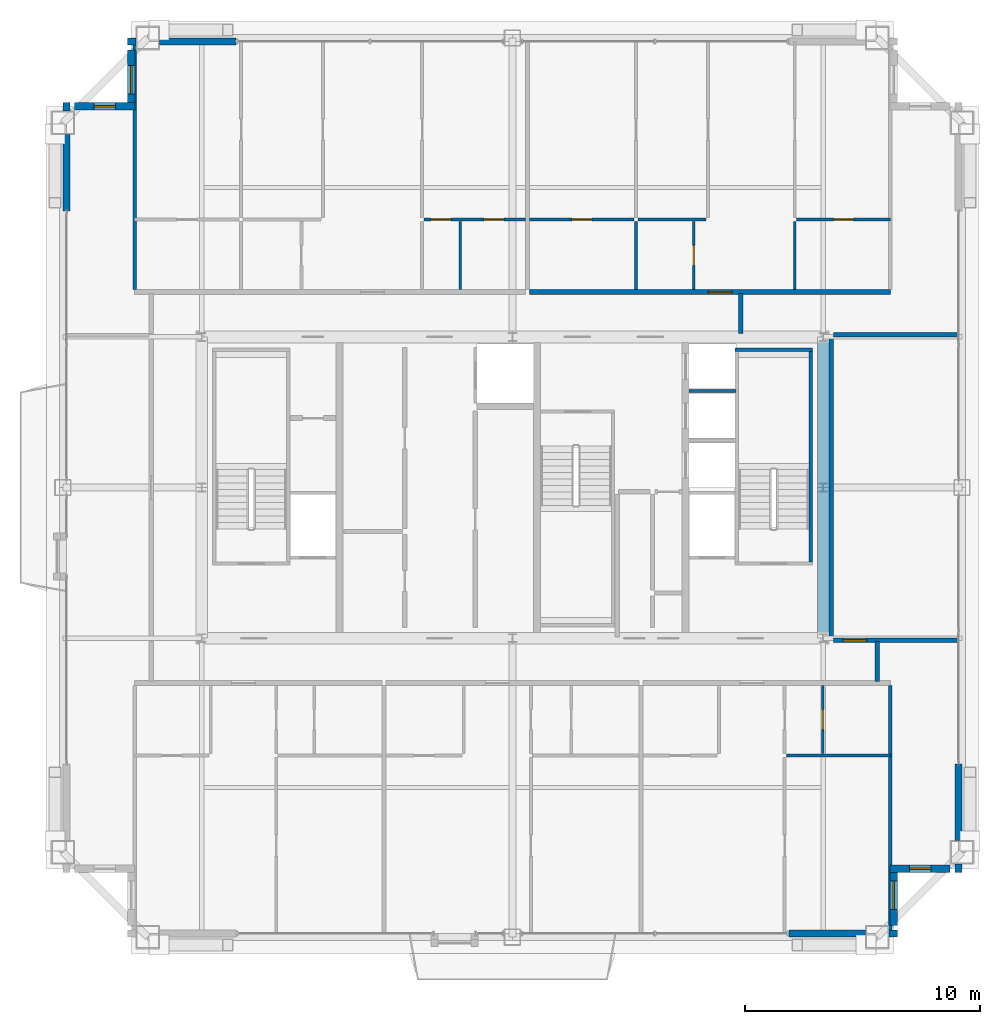
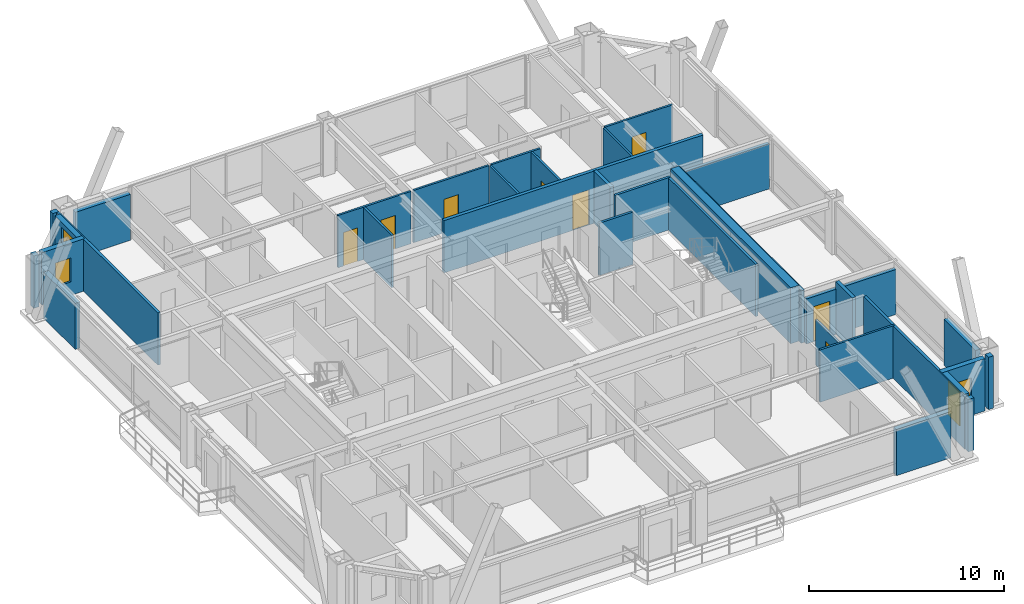
# One storey, part 31 of 33: 34 walls, 8 doors, 4 windows, 12 openings.
"""IFC4 building model written with IfcOpenShell, lengths in metres."""

from ifc_helpers import new_model, si_unit, direction, frame, frame_2d, origin, place, context, subcontext, project, spatial, rectangle, extrude, source, transform, mapped, material, layer, layer_set, type_object, element, fill, save


model = new_model("IFC4")

# Units and contexts
model_context = context("Model", 3, precision=1e-05, world=origin(), true_north=direction((0.0, 1.0)))
body_context = subcontext(model_context, "Body", "Model", "MODEL_VIEW")
ifc_project = project(units=[si_unit("LENGTHUNIT", "METRE"), si_unit("AREAUNIT", "SQUARE_METRE"), si_unit("VOLUMEUNIT", "CUBIC_METRE"), si_unit("PLANEANGLEUNIT", "RADIAN"), si_unit("MASSUNIT", "GRAM", prefix="KILO"), si_unit("THERMODYNAMICTEMPERATUREUNIT", "KELVIN"), si_unit("POWERUNIT", "WATT")], contexts=[model_context])

# Site, building, storey
site_placement = place(None, origin())
site = spatial("IfcSite", under=ifc_project, at=site_placement, CompositionType="ELEMENT")
building_placement = place(site_placement, origin())
building = spatial("IfcBuilding", under=site, at=building_placement, Name="Yuzanri Waterfront Tower", CompositionType="ELEMENT")
storey_placement = place(building_placement, frame((0.0, 0.0, 292.60009765625)))
storey = spatial("IfcBuildingStorey", under=building, at=storey_placement, Name="L78", CompositionType="ELEMENT", Elevation=292.60009765625)

# Wall, opening, door
ifc_material_1 = material(Name="Moisture-Resistant Gypsum Stud Wall", Category="gypsum")
ifc_layer_1 = layer(ifc_material_1, 0.1201171875)
ifc_layer_set_1 = layer_set([ifc_layer_1], Name="Moisture-Resistant Gypsum Stud Wall")
wall_type_1 = type_object("IfcWallType", Name="Bathroom and Kitchen Wet Partition 120", PredefinedType="PARTITIONING", material=ifc_layer_set_1)
wall_1_placement = place(storey_placement, frame((50.179931640625, 14.489990234375, 0.0), z_axis=(0.0, 0.0, 1.0), x_axis=(0.0, 1.0, 0.0)))
wall_1 = element("IfcWall", 1, at=wall_1_placement, inside=storey, type_object=wall_type_1, Name="L78 Partition UW-L78-HS3-SUB-2-W", PredefinedType="PARTITIONING", context=body_context, shape_type="SweptSolid", body=[
    extrude(rectangle(XDim=2.89990234375, YDim=0.1201171875, at=frame_2d((1.449951171875, 0.0))), origin(), (0.0, 0.0, 1.0), 2.824951171875),
])
opening_1_placement = place(wall_1_placement, frame((1.02490234375, 0.0, 0.0)))
opening_1 = element("IfcOpeningElement", 2, at=opening_1_placement, cuts=wall_1, Name="Opening ID-0850", PredefinedType="OPENING", context=body_context, shape_type="SweptSolid", body=[
    extrude(rectangle(XDim=0.85009765625, YDim=2.10009765625, at=frame_2d((0.425048828125, 1.050048828125))), frame((0.0, 0.074951171875, 0.0), z_axis=(0.0, -1.0, 0.0), x_axis=(1.0, 0.0, 0.0)), (0.0, 0.0, 1.0), 0.14990234375),
])
ifc_material_2 = material(Name="Moisture-Resistant Lacquered Timber", Category="wood")
door_type_1 = type_object("IfcDoorType", Name="En-Suite Bathroom and Kitchen Swing Door 850x2100", OperationType="NOTDEFINED", PredefinedType="DOOR", material=ifc_material_2)
shared_shape_1 = source(origin(), body_context, "Body", "SweptSolid", [
    extrude(rectangle(XDim=0.85009765625, YDim=2.10009765625, at=frame_2d((0.425048828125, 1.050048828125))), frame((0.0, 0.02490234375, 0.0), z_axis=(0.0, -1.0, 0.0), x_axis=(1.0, 0.0, 0.0)), (0.0, 0.0, 1.0), 0.050048828125),
])
door_1_placement = place(opening_1_placement, origin())
door_1 = element("IfcDoor", 3, at=door_1_placement, inside=storey, type_object=door_type_1, Name="L78 Suite Interior Room Door", OperationType="SINGLE_SWING_RIGHT", OverallHeight=2.10009765625, OverallWidth=0.85009765625, PredefinedType="DOOR", context=body_context, shape_type="MappedRepresentation", body=[
    mapped(shared_shape_1, transform((0.0, 0.0, 0.0), scale=1.0)),
])
fill(opening_1, door_1)

# Wall, openings, doors
wall_2_placement = place(storey_placement, frame((33.239990234375, 37.18994140625, 0.0), z_axis=(0.0, 0.0, 1.0), x_axis=(1.0, 0.0, 0.0)))
wall_2 = element("IfcWall", 4, at=wall_2_placement, inside=storey, type_object=wall_type_1, Name="L78 Partition UW-L78-HN1-SUB-6-S", PredefinedType="PARTITIONING", context=body_context, shape_type="SweptSolid", body=[
    extrude(rectangle(XDim=4.322021484375, YDim=0.1201171875, at=frame_2d((2.1611328125, 0.0))), origin(), (0.0, 0.0, 1.0), 3.27978515625),
])
opening_2_placement = place(wall_2_placement, frame((2.547119140625, 0.0, 0.0)))
opening_2 = element("IfcOpeningElement", 5, at=opening_2_placement, cuts=wall_2, Name="Opening ID-0850", PredefinedType="OPENING", context=body_context, shape_type="SweptSolid", body=[
    extrude(rectangle(XDim=0.85009765625, YDim=2.10009765625, at=frame_2d((0.425048828125, 1.050048828125))), frame((0.0, 0.074951171875, 0.0), z_axis=(0.0, -1.0, 0.0), x_axis=(1.0, 0.0, 0.0)), (0.0, 0.0, 1.0), 0.14990234375),
])
opening_3_placement = place(wall_2_placement, frame((0.305908203125, 0.0, 0.0)))
opening_3 = element("IfcOpeningElement", 6, at=opening_3_placement, cuts=wall_2, Name="Opening ID-0850", PredefinedType="OPENING", context=body_context, shape_type="SweptSolid", body=[
    extrude(rectangle(XDim=0.85009765625, YDim=2.10009765625, at=frame_2d((0.425048828125, 1.050048828125))), frame((0.0, 0.074951171875, 0.0), z_axis=(0.0, -1.0, 0.0), x_axis=(1.0, 0.0, 0.0)), (0.0, 0.0, 1.0), 0.14990234375),
])
door_2_placement = place(opening_2_placement, origin())
door_2 = element("IfcDoor", 7, at=door_2_placement, inside=storey, type_object=door_type_1, Name="L78 Suite Interior Room Door", OperationType="SINGLE_SWING_RIGHT", OverallHeight=2.10009765625, OverallWidth=0.85009765625, PredefinedType="DOOR", context=body_context, shape_type="MappedRepresentation", body=[
    mapped(shared_shape_1, transform((0.0, 0.0, 0.0), scale=1.0)),
])
fill(opening_2, door_2)
door_3_placement = place(opening_3_placement, origin())
door_3 = element("IfcDoor", 8, at=door_3_placement, inside=storey, type_object=door_type_1, Name="L78 Suite Interior Room Door", OperationType="SINGLE_SWING_LEFT", OverallHeight=2.10009765625, OverallWidth=0.85009765625, PredefinedType="DOOR", context=body_context, shape_type="MappedRepresentation", body=[
    mapped(shared_shape_1, transform((0.0, 0.0, 0.0), scale=1.0)),
])
fill(opening_3, door_3)

# Wall, opening, door
wall_3_placement = place(storey_placement, frame((37.721923828125, 37.18994140625, 0.0), z_axis=(0.0, 0.0, 1.0), x_axis=(1.0, 0.0, 0.0)))
wall_3 = element("IfcWall", 9, at=wall_3_placement, inside=storey, type_object=wall_type_1, Name="L78 Partition UW-L78-HN2-SUB-1-N", PredefinedType="PARTITIONING", context=body_context, shape_type="SweptSolid", body=[
    extrude(rectangle(XDim=4.4501953125, YDim=0.1201171875, at=frame_2d((2.22509765625, 0.0))), origin(), (0.0, 0.0, 1.0), 3.27978515625),
])
opening_4_placement = place(wall_3_placement, frame((1.800048828125, 0.0, 0.0)))
opening_4 = element("IfcOpeningElement", 10, at=opening_4_placement, cuts=wall_3, Name="Opening ID-0850", PredefinedType="OPENING", context=body_context, shape_type="SweptSolid", body=[
    extrude(rectangle(XDim=0.85009765625, YDim=2.10009765625, at=frame_2d((0.425048828125, 1.050048828125))), frame((0.0, 0.074951171875, 0.0), z_axis=(0.0, -1.0, 0.0), x_axis=(1.0, 0.0, 0.0)), (0.0, 0.0, 1.0), 0.14990234375),
])
door_4_placement = place(opening_4_placement, origin())
door_4 = element("IfcDoor", 11, at=door_4_placement, inside=storey, type_object=door_type_1, Name="L78 Suite Interior Room Door", OperationType="SINGLE_SWING_RIGHT", OverallHeight=2.10009765625, OverallWidth=0.85009765625, PredefinedType="DOOR", context=body_context, shape_type="MappedRepresentation", body=[
    mapped(shared_shape_1, transform((0.0, 0.0, 0.0), scale=1.0)),
])
fill(opening_4, door_4)

wall_4_placement = place(storey_placement, frame((44.7041015625, 34.2099609375, 0.0), z_axis=(0.0, 0.0, 1.0), x_axis=(0.0, 1.0, 0.0)))
wall_4 = element("IfcWall", 12, at=wall_4_placement, inside=storey, type_object=wall_type_1, Name="L78 Partition UW-L78-HN2-SUB-2-E", PredefinedType="PARTITIONING", context=body_context, shape_type="SweptSolid", body=[
    extrude(rectangle(XDim=2.900146484375, YDim=0.1201171875, at=frame_2d((1.4501953125, 0.0))), origin(), (0.0, 0.0, 1.0), 3.27978515625),
])
opening_5_placement = place(wall_4_placement, frame((1.02490234375, 0.0, 0.0)))
opening_5 = element("IfcOpeningElement", 13, at=opening_5_placement, cuts=wall_4, Name="Opening ID-0850", PredefinedType="OPENING", context=body_context, shape_type="SweptSolid", body=[
    extrude(rectangle(XDim=0.85009765625, YDim=2.10009765625, at=frame_2d((0.425048828125, 1.050048828125))), frame((0.0, 0.074951171875, 0.0), z_axis=(0.0, -1.0, 0.0), x_axis=(1.0, 0.0, 0.0)), (0.0, 0.0, 1.0), 0.14990234375),
])
door_5_placement = place(opening_5_placement, origin())
door_5 = element("IfcDoor", 14, at=door_5_placement, inside=storey, type_object=door_type_1, Name="L78 Suite Interior Room Door", OperationType="SINGLE_SWING_LEFT", OverallHeight=2.10009765625, OverallWidth=0.85009765625, PredefinedType="DOOR", context=body_context, shape_type="MappedRepresentation", body=[
    mapped(shared_shape_1, transform((0.0, 0.0, 0.0), scale=1.0)),
])
fill(opening_5, door_5)

wall_5_placement = place(storey_placement, frame((49.072021484375, 37.18994140625, 0.0), z_axis=(0.0, 0.0, 1.0), x_axis=(1.0, 0.0, 0.0)))
wall_5 = element("IfcWall", 15, at=wall_5_placement, inside=storey, type_object=wall_type_1, Name="L78 Partition UW-L78-HN2-SUB-3-N", PredefinedType="PARTITIONING", context=body_context, shape_type="SweptSolid", body=[
    extrude(rectangle(XDim=3.988037109375, YDim=0.1201171875, at=frame_2d((1.994140625, 0.0))), origin(), (0.0, 0.0, 1.0), 3.27978515625),
])
opening_6_placement = place(wall_5_placement, frame((1.569091796875, 0.0, 0.0)))
opening_6 = element("IfcOpeningElement", 16, at=opening_6_placement, cuts=wall_5, Name="Opening ID-0850", PredefinedType="OPENING", context=body_context, shape_type="SweptSolid", body=[
    extrude(rectangle(XDim=0.85009765625, YDim=2.10009765625, at=frame_2d((0.425048828125, 1.050048828125))), frame((0.0, 0.074951171875, 0.0), z_axis=(0.0, -1.0, 0.0), x_axis=(1.0, 0.0, 0.0)), (0.0, 0.0, 1.0), 0.14990234375),
])
door_6_placement = place(opening_6_placement, origin())
door_6 = element("IfcDoor", 17, at=door_6_placement, inside=storey, type_object=door_type_1, Name="L78 Suite Interior Room Door", OperationType="SINGLE_SWING_RIGHT", OverallHeight=2.10009765625, OverallWidth=0.85009765625, PredefinedType="DOOR", context=body_context, shape_type="MappedRepresentation", body=[
    mapped(shared_shape_1, transform((0.0, 0.0, 0.0), scale=1.0)),
])
fill(opening_6, door_6)

# Wall, opening, window
ifc_material_3 = material(Name="Honed Chongqing Dark Basalt Stone", Category="masonry")
ifc_layer_2 = layer(ifc_material_3, 0.300048828125)
ifc_layer_set_2 = layer_set([ifc_layer_2], Name="Honed Chongqing Dark Basalt Stone")
wall_type_2 = type_object("IfcWallType", Name="Bronze Rainscreen Insulated Spandrel Portal Wall 300", PredefinedType="SOLIDWALL", material=ifc_layer_set_2)
wall_6_placement = place(storey_placement, frame((53.050048828125, 9.60009765625, 0.0), z_axis=(0.0, 0.0, 1.0), x_axis=(1.0, 0.0, 0.0)))
wall_6 = element("IfcWall", 18, at=wall_6_placement, inside=storey, type_object=wall_type_2, Name="L78 Notched Corner Masonry Wall SE-X", PredefinedType="SOLIDWALL", context=body_context, shape_type="SweptSolid", body=[
    extrude(rectangle(XDim=2.550048828125, YDim=0.300048828125, at=frame_2d((1.27490234375, 0.0))), origin(), (0.0, 0.0, 1.0), 3.27978515625),
])
opening_7_placement = place(wall_6_placement, frame((0.824951171875, 0.0, 0.85009765625)))
opening_7 = element("IfcOpeningElement", 19, at=opening_7_placement, cuts=wall_6, Name="Opening WN-05", PredefinedType="OPENING", context=body_context, shape_type="SweptSolid", body=[
    extrude(rectangle(XDim=0.89990234375, YDim=1.5, at=frame_2d((0.449951171875, 0.75))), frame((0.0, 0.1650390625, 0.0), z_axis=(0.0, -1.0, 0.0), x_axis=(1.0, 0.0, 0.0)), (0.0, 0.0, 1.0), 0.329833984375),
])
ifc_material_4 = material(Name="Double-Silver Low-E Insulated Glass", Category="glass")
window_type_1 = type_object("IfcWindowType", Name="Anodized Bronze Service and Stairwell Smoke-Vent Window 900x1500", PartitioningType="SINGLE_PANEL", PredefinedType="WINDOW", material=ifc_material_4)
shared_shape_2 = source(origin(), body_context, "Body", "SweptSolid", [
    extrude(rectangle(XDim=0.89990234375, YDim=1.5, at=frame_2d((0.449951171875, 0.75))), frame((0.0, 0.030029296875, 0.0), z_axis=(0.0, -1.0, 0.0), x_axis=(1.0, 0.0, 0.0)), (0.0, 0.0, 1.0), 0.06005859375),
])
window_1_placement = place(opening_7_placement, origin())
window_1 = element("IfcWindow", 20, at=window_1_placement, inside=storey, type_object=window_type_1, Name="L78 Notched Corner Window SE-X", OverallHeight=1.5, OverallWidth=0.89990234375, PartitioningType="SINGLE_PANEL", PredefinedType="WINDOW", context=body_context, shape_type="MappedRepresentation", body=[
    mapped(shared_shape_2, transform((0.0, 0.0, 0.0), scale=1.0)),
])
fill(opening_7, window_1)

wall_7_placement = place(storey_placement, frame((53.199951171875, 7.199951171875, 0.0), z_axis=(0.0, 0.0, 1.0), x_axis=(0.0, 1.0, 0.0)))
wall_7 = element("IfcWall", 21, at=wall_7_placement, inside=storey, type_object=wall_type_2, Name="L78 Notched Corner Masonry Wall SE-Y", PredefinedType="SOLIDWALL", context=body_context, shape_type="SweptSolid", body=[
    extrude(rectangle(XDim=2.550048828125, YDim=0.300048828125, at=frame_2d((1.27490234375, 0.0))), origin(), (0.0, 0.0, 1.0), 3.27978515625),
])
opening_8_placement = place(wall_7_placement, frame((0.675048828125, 0.0, 0.85009765625)))
opening_8 = element("IfcOpeningElement", 22, at=opening_8_placement, cuts=wall_7, Name="Opening WN-02", PredefinedType="OPENING", context=body_context, shape_type="SweptSolid", body=[
    extrude(rectangle(XDim=1.199951171875, YDim=2.10009765625, at=frame_2d((0.60009765625, 1.050048828125))), frame((0.0, 0.1650390625, 0.0), z_axis=(0.0, -1.0, 0.0), x_axis=(1.0, 0.0, 0.0)), (0.0, 0.0, 1.0), 0.329833984375),
])
ifc_material_5 = material(Name="Double-Silver Low-E Insulated Glass", Category="glass")
window_type_2 = type_object("IfcWindowType", Name="Anodized Bronze Notched Corner Deep-Set Slot Window 1200x2100", PartitioningType="SINGLE_PANEL", PredefinedType="WINDOW", material=ifc_material_5)
shared_shape_3 = source(origin(), body_context, "Body", "SweptSolid", [
    extrude(rectangle(XDim=1.199951171875, YDim=2.10009765625, at=frame_2d((0.60009765625, 1.050048828125))), frame((0.0, 0.030029296875, 0.0), z_axis=(0.0, -1.0, 0.0), x_axis=(1.0, 0.0, 0.0)), (0.0, 0.0, 1.0), 0.06005859375),
])
window_2_placement = place(opening_8_placement, origin())
window_2 = element("IfcWindow", 23, at=window_2_placement, inside=storey, type_object=window_type_2, Name="L78 Notched Corner Window SE-Y", OverallHeight=2.10009765625, OverallWidth=1.199951171875, PartitioningType="SINGLE_PANEL", PredefinedType="WINDOW", context=body_context, shape_type="MappedRepresentation", body=[
    mapped(shared_shape_3, transform((0.0, 0.0, 0.0), scale=1.0)),
])
fill(opening_8, window_2)

wall_8_placement = place(storey_placement, frame((20.949951171875, 42.0, 0.0), z_axis=(0.0, 0.0, 1.0), x_axis=(-1.0, 0.0, 0.0)))
wall_8 = element("IfcWall", 24, at=wall_8_placement, inside=storey, type_object=wall_type_2, Name="L78 Notched Corner Masonry Wall NW-X", PredefinedType="SOLIDWALL", context=body_context, shape_type="SweptSolid", body=[
    extrude(rectangle(XDim=2.550048828125, YDim=0.300048828125, at=frame_2d((1.27490234375, 0.0))), origin(), (0.0, 0.0, 1.0), 3.27978515625),
])
opening_9_placement = place(wall_8_placement, frame((0.824951171875, 0.0, 0.85009765625)))
opening_9 = element("IfcOpeningElement", 25, at=opening_9_placement, cuts=wall_8, Name="Opening WN-05", PredefinedType="OPENING", context=body_context, shape_type="SweptSolid", body=[
    extrude(rectangle(XDim=0.89990234375, YDim=1.5, at=frame_2d((0.449951171875, 0.75))), frame((0.0, 0.1650390625, 0.0), z_axis=(0.0, -1.0, 0.0), x_axis=(1.0, 0.0, 0.0)), (0.0, 0.0, 1.0), 0.329833984375),
])
window_3_placement = place(opening_9_placement, origin())
window_3 = element("IfcWindow", 26, at=window_3_placement, inside=storey, type_object=window_type_1, Name="L78 Notched Corner Window NW-X", OverallHeight=1.5, OverallWidth=0.89990234375, PartitioningType="SINGLE_PANEL", PredefinedType="WINDOW", context=body_context, shape_type="MappedRepresentation", body=[
    mapped(shared_shape_2, transform((0.0, 0.0, 0.0), scale=1.0)),
])
fill(opening_9, window_3)

wall_9_placement = place(storey_placement, frame((20.800048828125, 44.39990234375, 0.0), z_axis=(0.0, 0.0, 1.0), x_axis=(0.0, -1.0, 0.0)))
wall_9 = element("IfcWall", 27, at=wall_9_placement, inside=storey, type_object=wall_type_2, Name="L78 Notched Corner Masonry Wall NW-Y", PredefinedType="SOLIDWALL", context=body_context, shape_type="SweptSolid", body=[
    extrude(rectangle(XDim=2.5498046875, YDim=0.300048828125, at=frame_2d((1.27490234375, 0.0))), origin(), (0.0, 0.0, 1.0), 3.27978515625),
])
opening_10_placement = place(wall_9_placement, frame((0.675048828125, 0.0, 0.85009765625)))
opening_10 = element("IfcOpeningElement", 28, at=opening_10_placement, cuts=wall_9, Name="Opening WN-02", PredefinedType="OPENING", context=body_context, shape_type="SweptSolid", body=[
    extrude(rectangle(XDim=1.199951171875, YDim=2.10009765625, at=frame_2d((0.60009765625, 1.050048828125))), frame((0.0, 0.1650390625, 0.0), z_axis=(0.0, -1.0, 0.0), x_axis=(1.0, 0.0, 0.0)), (0.0, 0.0, 1.0), 0.329833984375),
])
window_4_placement = place(opening_10_placement, origin())
window_4 = element("IfcWindow", 29, at=window_4_placement, inside=storey, type_object=window_type_2, Name="L78 Notched Corner Window NW-Y", OverallHeight=2.10009765625, OverallWidth=1.199951171875, PartitioningType="SINGLE_PANEL", PredefinedType="WINDOW", context=body_context, shape_type="MappedRepresentation", body=[
    mapped(shared_shape_3, transform((0.0, 0.0, 0.0), scale=1.0)),
])
fill(opening_10, window_4)

# Wall, opening, door
ifc_material_6 = material(Name="Autoclaved Aerated Concrete Blockwork", Category="masonry")
ifc_layer_3 = layer(ifc_material_6, 0.199951171875)
ifc_layer_set_3 = layer_set([ifc_layer_3], Name="Autoclaved Aerated Concrete Blockwork")
wall_type_3 = type_object("IfcWallType", Name="Corridor and Unit Party Fire Wall 200", PredefinedType="PARTITIONING", material=ifc_layer_set_3)
wall_10_placement = place(storey_placement, frame((37.721923828125, 34.110107421875, 0.0), z_axis=(0.0, 0.0, 1.0), x_axis=(1.0, 0.0, 0.0)))
wall_10 = element("IfcWall", 30, at=wall_10_placement, inside=storey, type_object=wall_type_3, Name="L78 Partition UW-L78-HN2-CS", PredefinedType="PARTITIONING", context=body_context, shape_type="SweptSolid", body=[
    extrude(rectangle(XDim=15.338134765625, YDim=0.199951171875, at=frame_2d((7.6689453125, 0.0))), origin(), (0.0, 0.0, 1.0), 3.27978515625),
])
opening_11_placement = place(wall_10_placement, frame((7.596923828125, 0.0, 0.0)))
opening_11 = element("IfcOpeningElement", 31, at=opening_11_placement, cuts=wall_10, Name="Opening FD-1000", PredefinedType="OPENING", context=body_context, shape_type="SweptSolid", body=[
    extrude(rectangle(XDim=1.0, YDim=2.199951171875, at=frame_2d((0.5, 1.10009765625))), frame((0.0, 0.11474609375, 0.0), z_axis=(0.0, -1.0, 0.0), x_axis=(1.0, 0.0, 0.0)), (0.0, 0.0, 1.0), 0.229736328125),
])
ifc_material_7 = material(Name="Engineered Oak Fire-Rated Timber", Category="wood")
door_type_2 = type_object("IfcDoorType", Name="Guestroom and Apartment Entrance Fire Door 1000x2200", OperationType="NOTDEFINED", PredefinedType="DOOR", material=ifc_material_7)
shared_shape_4 = source(origin(), body_context, "Body", "SweptSolid", [
    extrude(rectangle(XDim=1.0, YDim=2.199951171875, at=frame_2d((0.5, 1.10009765625))), frame((0.0, 0.02490234375, 0.0), z_axis=(0.0, -1.0, 0.0), x_axis=(1.0, 0.0, 0.0)), (0.0, 0.0, 1.0), 0.050048828125),
])
door_7_placement = place(opening_11_placement, origin())
door_7 = element("IfcDoor", 32, at=door_7_placement, inside=storey, type_object=door_type_2, Name="L78 Apartment Living and Dining Salon Entrance Door", OperationType="SINGLE_SWING_LEFT", OverallHeight=2.199951171875, OverallWidth=1.0, PredefinedType="DOOR", context=body_context, shape_type="MappedRepresentation", body=[
    mapped(shared_shape_4, transform((0.0, 0.0, 0.0), scale=1.0)),
])
fill(opening_11, door_7)

wall_11_placement = place(storey_placement, frame((50.64990234375, 19.31005859375, 0.0), z_axis=(0.0, 0.0, 1.0), x_axis=(1.0, 0.0, 0.0)))
wall_11 = element("IfcWall", 33, at=wall_11_placement, inside=storey, type_object=wall_type_3, Name="L78 Partition UW-L78-051-CS", PredefinedType="PARTITIONING", context=body_context, shape_type="SweptSolid", body=[
    extrude(rectangle(XDim=5.300048828125, YDim=0.199951171875, at=frame_2d((2.64990234375, 0.0))), origin(), (0.0, 0.0, 1.0), 2.824951171875),
])
opening_12_placement = place(wall_11_placement, frame((0.39990234375, 0.0, 0.0)))
opening_12 = element("IfcOpeningElement", 34, at=opening_12_placement, cuts=wall_11, Name="Opening FD-1000", PredefinedType="OPENING", context=body_context, shape_type="SweptSolid", body=[
    extrude(rectangle(XDim=1.0, YDim=2.199951171875, at=frame_2d((0.5, 1.10009765625))), frame((0.0, 0.11474609375, 0.0), z_axis=(0.0, -1.0, 0.0), x_axis=(1.0, 0.0, 0.0)), (0.0, 0.0, 1.0), 0.229736328125),
])
door_8_placement = place(opening_12_placement, origin())
door_8 = element("IfcDoor", 35, at=door_8_placement, inside=storey, type_object=door_type_2, Name="L78 High-Rise E Horizon Club Room Entrance Door", OperationType="SINGLE_SWING_LEFT", OverallHeight=2.199951171875, OverallWidth=1.0, PredefinedType="DOOR", context=body_context, shape_type="MappedRepresentation", body=[
    mapped(shared_shape_4, transform((0.0, 0.0, 0.0), scale=1.0)),
])
fill(opening_12, door_8)

# Walls
ifc_material_8 = material(Name="Concrete C45", Category="concrete")
ifc_layer_4 = layer(ifc_material_8, 0.47998046875)
ifc_layer_set_4 = layer_set([ifc_layer_4], Name="Concrete C45")
wall_type_4 = type_object("IfcWallType", Name="Concrete C45 High-Rise Core Shear Wall 480", PredefinedType="SHEAR", material=ifc_layer_set_4)
shared_shape_5 = source(origin(), body_context, "Body", "SweptSolid", [
    extrude(rectangle(XDim=12.320068359375, YDim=0.47998046875, at=frame_2d((6.16015625, 0.0))), origin(), (0.0, 0.0, 1.0), 3.5),
])
wall_12_placement = place(storey_placement, frame((50.199951171875, 19.639892578125, 0.0), z_axis=(0.0, 0.0, 1.0), x_axis=(0.0, 1.0, 0.0)))
element("IfcWall", 36, at=wall_12_placement, inside=storey, type_object=wall_type_4, Name="L78 Core East Shear Wall", PredefinedType="SHEAR", context=body_context, shape_type="MappedRepresentation", body=[
    mapped(shared_shape_5, transform((0.0, 0.0, 0.0), scale=1.0)),
])
shared_shape_6 = source(origin(), body_context, "Body", "SweptSolid", [
    extrude(rectangle(XDim=0.35009765625, YDim=0.300048828125, at=frame_2d((0.175048828125, 0.0))), origin(), (0.0, 0.0, 1.0), 3.27978515625),
])
for number, where, z_axis, x_axis, name in (
    (37, (53.0, 6.85009765625, 0.0), (0.0, 0.0, 1.0), (1.0, 0.0, 0.0), "L78 Corner Column Shoulder Return CSE"),
    (38, (20.64990234375, 44.75, 0.0), (0.0, 0.0, 1.0), (1.0, 0.0, 0.0), "L78 Corner Column Shoulder Return CNW"),
    (39, (55.949951171875, 9.449951171875, 0.0), (0.0, 0.0, 1.0), (0.0, 1.0, 0.0), "L78 Corner Column Shoulder Return CES"),
):
    element("IfcWall", number, at=place(storey_placement, frame(where, z_axis=z_axis, x_axis=x_axis)), inside=storey, type_object=wall_type_2, Name=name, PredefinedType="SOLIDWALL", context=body_context, shape_type="MappedRepresentation", body=[
        mapped(shared_shape_6, transform((0.0, 0.0, 0.0), scale=1.0)),
    ])
shared_shape_7 = source(origin(), body_context, "Body", "SweptSolid", [
    extrude(rectangle(XDim=0.349853515625, YDim=0.300048828125, at=frame_2d((0.1748046875, 0.0))), origin(), (0.0, 0.0, 1.0), 3.27978515625),
])
wall_13_placement = place(storey_placement, frame((18.050048828125, 41.800048828125, 0.0), z_axis=(0.0, 0.0, 1.0), x_axis=(0.0, 1.0, 0.0)))
element("IfcWall", 40, at=wall_13_placement, inside=storey, type_object=wall_type_2, Name="L78 Corner Column Shoulder Return CWN", PredefinedType="SOLIDWALL", context=body_context, shape_type="MappedRepresentation", body=[
    mapped(shared_shape_7, transform((0.0, 0.0, 0.0), scale=1.0)),
])
shared_shape_8 = source(origin(), body_context, "Body", "SweptSolid", [
    extrude(rectangle(XDim=3.25, YDim=0.300048828125, at=frame_2d((1.625, 0.0))), origin(), (0.0, 0.0, 1.0), 2.885009765625),
])
for number, where, z_axis, x_axis, name in (
    (41, (48.75, 6.85009765625, 0.0), (0.0, 0.0, 1.0), (1.0, 0.0, 0.0), "L78 S Right Braced Masonry Shoulder"),
    (42, (22.0, 44.75, 0.0), (0.0, 0.0, 1.0), (1.0, 0.0, 0.0), "L78 N Left Braced Masonry Shoulder"),
    (43, (18.050048828125, 37.550048828125, 0.0), (0.0, 0.0, 1.0), (0.0, 1.0, 0.0), "L78 W Right Braced Masonry Shoulder"),
    (44, (55.949951171875, 10.800048828125, 0.0), (0.0, 0.0, 1.0), (0.0, 1.0, 0.0), "L78 E Left Braced Masonry Shoulder"),
):
    element("IfcWall", number, at=place(storey_placement, frame(where, z_axis=z_axis, x_axis=x_axis)), inside=storey, type_object=wall_type_2, Name=name, PredefinedType="SOLIDWALL", context=body_context, shape_type="MappedRepresentation", body=[
        mapped(shared_shape_8, transform((0.0, 0.0, 0.0), scale=1.0)),
    ])
ifc_material_9 = material(Name="Concrete C40", Category="concrete")
ifc_layer_5 = layer(ifc_material_9, 0.139892578125)
ifc_layer_set_5 = layer_set([ifc_layer_5], Name="Concrete C40")
wall_type_5 = type_object("IfcWallType", Name="Core Stair Liner and Hoistway Shaft Wall 140", PredefinedType="SOLIDWALL", material=ifc_layer_set_5)
shared_shape_9 = source(origin(), body_context, "Body", "SweptSolid", [
    extrude(rectangle(XDim=2.0, YDim=0.139892578125, at=frame_2d((1.0, 0.0))), origin(), (0.0, 0.0, 1.0), 3.27978515625),
])
wall_14_placement = place(storey_placement, frame((44.5, 29.89990234375, 0.0), z_axis=(0.0, 0.0, 1.0), x_axis=(1.0, 0.0, 0.0)))
element("IfcWall", 45, at=wall_14_placement, inside=storey, type_object=wall_type_5, Name="L78 Lift PL-10 Divider Wall", PredefinedType="SOLIDWALL", context=body_context, shape_type="MappedRepresentation", body=[
    mapped(shared_shape_9, transform((0.0, 0.0, 0.0), scale=1.0)),
])
shared_shape_10 = source(origin(), body_context, "Body", "SweptSolid", [
    extrude(rectangle(XDim=3.280029296875, YDim=0.139892578125, at=frame_2d((1.64013671875, 0.0))), origin(), (0.0, 0.0, 1.0), 3.27978515625),
])
wall_15_placement = place(storey_placement, frame((46.4599609375, 31.64990234375, 0.0), z_axis=(0.0, 0.0, 1.0), x_axis=(1.0, 0.0, 0.0)))
element("IfcWall", 46, at=wall_15_placement, inside=storey, type_object=wall_type_5, Name="L78 Stair ST-02 North Shaft Wall", PredefinedType="SOLIDWALL", context=body_context, shape_type="MappedRepresentation", body=[
    mapped(shared_shape_10, transform((0.0, 0.0, 0.0), scale=1.0)),
])
shared_shape_11 = source(origin(), body_context, "Body", "SweptSolid", [
    extrude(rectangle(XDim=8.940185546875, YDim=0.139892578125, at=frame_2d((4.47021484375, 0.0))), origin(), (0.0, 0.0, 1.0), 3.27978515625),
])
wall_16_placement = place(storey_placement, frame((49.669921875, 22.639892578125, 0.0), z_axis=(0.0, 0.0, 1.0), x_axis=(0.0, 1.0, 0.0)))
element("IfcWall", 47, at=wall_16_placement, inside=storey, type_object=wall_type_5, Name="L78 Stair ST-02 East Shaft Wall", PredefinedType="SOLIDWALL", context=body_context, shape_type="MappedRepresentation", body=[
    mapped(shared_shape_11, transform((0.0, 0.0, 0.0), scale=1.0)),
])
shared_shape_12 = source(origin(), body_context, "Body", "SweptSolid", [
    extrude(rectangle(XDim=1.699951171875, YDim=0.199951171875, at=frame_2d((0.85009765625, 0.0))), origin(), (0.0, 0.0, 1.0), 3.27978515625),
])
for number, where, z_axis, x_axis, name in (
    (48, (46.699951171875, 32.35009765625, 0.0), (0.0, 0.0, 1.0), (0.0, 1.0, 0.0), "L78 North Foyer East End Wall"),
    (49, (52.5, 17.550048828125, 0.0), (0.0, 0.0, 1.0), (0.0, 1.0, 0.0), "L78 South Foyer East End Wall"),
):
    element("IfcWall", number, at=place(storey_placement, frame(where, z_axis=z_axis, x_axis=x_axis)), inside=storey, type_object=wall_type_3, Name=name, PredefinedType="PARTITIONING", context=body_context, shape_type="MappedRepresentation", body=[
        mapped(shared_shape_12, transform((0.0, 0.0, 0.0), scale=1.0)),
    ])
shared_shape_13 = source(origin(), body_context, "Body", "SweptSolid", [
    extrude(rectangle(XDim=12.780029296875, YDim=0.199951171875, at=frame_2d((6.39013671875, 0.0))), origin(), (0.0, 0.0, 1.0), 3.27978515625),
])
wall_17_placement = place(storey_placement, frame((50.544921875, 19.409912109375, 0.0), z_axis=(0.0, 0.0, 1.0), x_axis=(0.0, 1.0, 0.0)))
element("IfcWall", 50, at=wall_17_placement, inside=storey, type_object=wall_type_3, Name="L78-051 Wing Inner Core-Side Wall", PredefinedType="PARTITIONING", context=body_context, shape_type="MappedRepresentation", body=[
    mapped(shared_shape_13, transform((0.0, 0.0, 0.0), scale=1.0)),
])
shared_shape_14 = source(origin(), body_context, "Body", "SweptSolid", [
    extrude(rectangle(XDim=4.41796875, YDim=0.1201171875, at=frame_2d((2.208984375, 0.0))), origin(), (0.0, 0.0, 1.0), 3.27978515625),
])
wall_18_placement = place(storey_placement, frame((48.64208984375, 14.409912109375, 0.0), z_axis=(0.0, 0.0, 1.0), x_axis=(1.0, 0.0, 0.0)))
element("IfcWall", 51, at=wall_18_placement, inside=storey, type_object=wall_type_1, Name="L78 Partition UW-L78-HS3-SUB-3-N", PredefinedType="PARTITIONING", context=body_context, shape_type="MappedRepresentation", body=[
    mapped(shared_shape_14, transform((0.0, 0.0, 0.0), scale=1.0)),
])
ifc_material_10 = material(Name="Gypsum Fireboard Acoustic Stud Wall", Category="gypsum")
ifc_layer_6 = layer(ifc_material_10, 0.159912109375)
ifc_layer_set_6 = layer_set([ifc_layer_6], Name="Gypsum Fireboard Acoustic Stud Wall")
wall_type_6 = type_object("IfcWallType", Name="Acoustic Suite Demising Partition 160", PredefinedType="PARTITIONING", material=ifc_layer_set_6)
shared_shape_15 = source(origin(), body_context, "Body", "SweptSolid", [
    extrude(rectangle(XDim=10.389892578125, YDim=0.159912109375, at=frame_2d((5.19482421875, 0.0))), origin(), (0.0, 0.0, 1.0), 3.27978515625),
])
wall_19_placement = place(storey_placement, frame((53.050048828125, 7.0, 0.0), z_axis=(0.0, 0.0, 1.0), x_axis=(0.0, 1.0, 0.0)))
element("IfcWall", 52, at=wall_19_placement, inside=storey, type_object=wall_type_6, Name="L78 South Band East End Wall", PredefinedType="PARTITIONING", context=body_context, shape_type="MappedRepresentation", body=[
    mapped(shared_shape_15, transform((0.0, 0.0, 0.0), scale=1.0)),
])
shared_shape_16 = source(origin(), body_context, "Body", "SweptSolid", [
    extrude(rectangle(XDim=2.900146484375, YDim=0.1201171875, at=frame_2d((1.4501953125, 0.0))), origin(), (0.0, 0.0, 1.0), 3.27978515625),
])
for number, where, z_axis, x_axis, name in (
    (53, (34.781982421875, 34.2099609375, 0.0), (0.0, 0.0, 1.0), (0.0, 1.0, 0.0), "L78 Partition UW-L78-HN1-SUB-3-W"),
    (54, (42.251953125, 34.2099609375, 0.0), (0.0, 0.0, 1.0), (0.0, 1.0, 0.0), "L78 Partition UW-L78-HN2-SUB-1-E"),
    (55, (48.991943359375, 34.2099609375, 0.0), (0.0, 0.0, 1.0), (0.0, 1.0, 0.0), "L78 Partition UW-L78-HN2-SUB-3-W"),
):
    element("IfcWall", number, at=place(storey_placement, frame(where, z_axis=z_axis, x_axis=x_axis)), inside=storey, type_object=wall_type_1, Name=name, PredefinedType="PARTITIONING", context=body_context, shape_type="MappedRepresentation", body=[
        mapped(shared_shape_16, transform((0.0, 0.0, 0.0), scale=1.0)),
    ])
shared_shape_17 = source(origin(), body_context, "Body", "SweptSolid", [
    extrude(rectangle(XDim=10.39013671875, YDim=0.159912109375, at=frame_2d((5.195068359375, 0.0))), origin(), (0.0, 0.0, 1.0), 3.27978515625),
])
wall_20_placement = place(storey_placement, frame((20.949951171875, 34.2099609375, 0.0), z_axis=(0.0, 0.0, 1.0), x_axis=(0.0, 1.0, 0.0)))
element("IfcWall", 56, at=wall_20_placement, inside=storey, type_object=wall_type_6, Name="L78 North Band West End Wall", PredefinedType="PARTITIONING", context=body_context, shape_type="MappedRepresentation", body=[
    mapped(shared_shape_17, transform((0.0, 0.0, 0.0), scale=1.0)),
])
shared_shape_18 = source(origin(), body_context, "Body", "SweptSolid", [
    extrude(rectangle(XDim=2.89501953125, YDim=0.1201171875, at=frame_2d((1.447509765625, 0.0))), origin(), (0.0, 0.0, 1.0), 3.27978515625),
])
wall_21_placement = place(storey_placement, frame((42.33203125, 37.18994140625, 0.0), z_axis=(0.0, 0.0, 1.0), x_axis=(1.0, 0.0, 0.0)))
element("IfcWall", 57, at=wall_21_placement, inside=storey, type_object=wall_type_1, Name="L78 Partition UW-L78-HN2-SUB-6-S", PredefinedType="PARTITIONING", context=body_context, shape_type="MappedRepresentation", body=[
    mapped(shared_shape_18, transform((0.0, 0.0, 0.0), scale=1.0)),
])
shared_shape_19 = source(origin(), body_context, "Body", "SweptSolid", [
    extrude(rectangle(XDim=5.300048828125, YDim=0.199951171875, at=frame_2d((2.64990234375, 0.0))), origin(), (0.0, 0.0, 1.0), 2.824951171875),
])
wall_22_placement = place(storey_placement, frame((50.64990234375, 32.2900390625, 0.0), z_axis=(0.0, 0.0, 1.0), x_axis=(1.0, 0.0, 0.0)))
element("IfcWall", 58, at=wall_22_placement, inside=storey, type_object=wall_type_3, Name="L78-051 Wing North Wall", PredefinedType="PARTITIONING", context=body_context, shape_type="MappedRepresentation", body=[
    mapped(shared_shape_19, transform((0.0, 0.0, 0.0), scale=1.0)),
])

save(model, "model.ifc")
